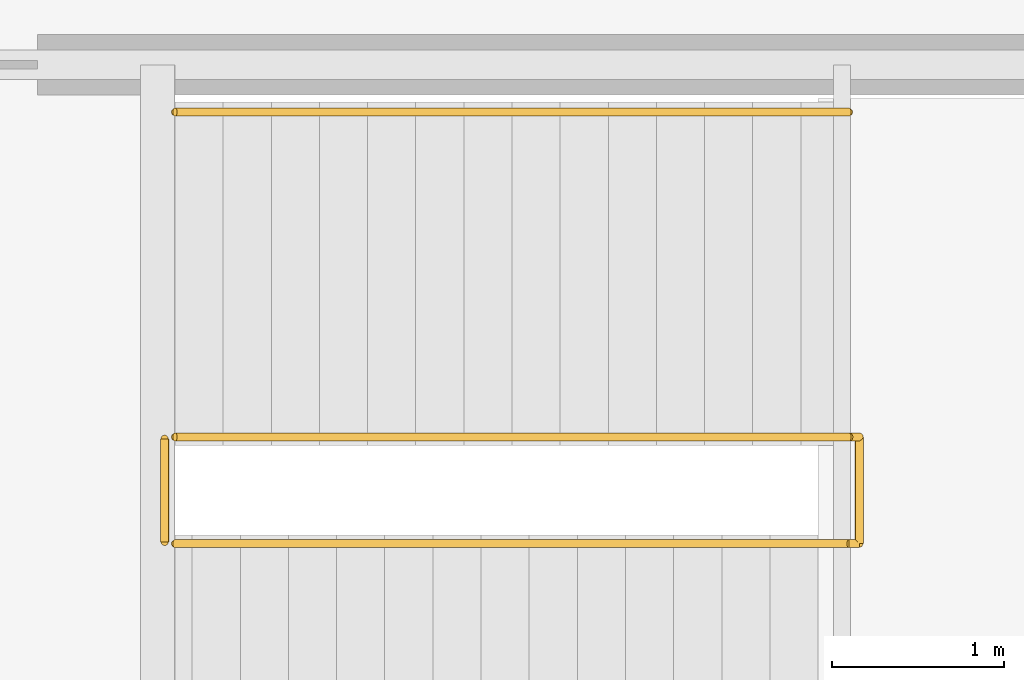
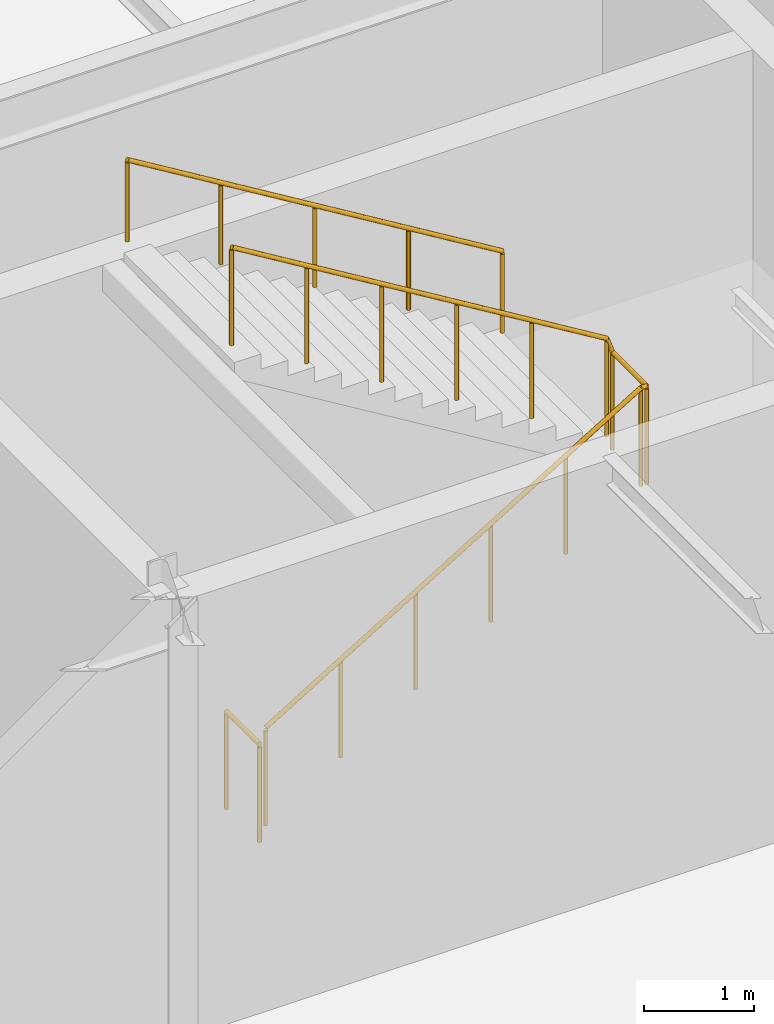
# One storey, part 76 of 79: 3 railings.
"""IFC4 building model written with IfcOpenShell, lengths in metres."""

from ifc_helpers import new_model, si_unit, direction, frame, origin, origin_2d, place, context, subcontext, project, spatial, circle, extrude, material, type_object, element, save


model = new_model("IFC4")

# Units and contexts
model_context = context("Model", 3, precision=1e-05, world=origin(), true_north=direction((0.0, 1.0)))
body_context = subcontext(model_context, "Body", "Model", "MODEL_VIEW")
ifc_project = project(units=[si_unit("LENGTHUNIT", "METRE"), si_unit("AREAUNIT", "SQUARE_METRE"), si_unit("VOLUMEUNIT", "CUBIC_METRE"), si_unit("PLANEANGLEUNIT", "RADIAN"), si_unit("MASSUNIT", "GRAM", prefix="KILO")], contexts=[model_context])

# Site, building, storey
site_placement = place(None, origin())
site = spatial("IfcSite", under=ifc_project, at=site_placement, CompositionType="ELEMENT")
building_placement = place(site_placement, origin())
building = spatial("IfcBuilding", under=site, at=building_placement, Name="Shalkamar Park Central Library", CompositionType="ELEMENT")
storey_placement = place(building_placement, frame((0.0, 0.0, 10.5)))
storey = spatial("IfcBuildingStorey", under=building, at=storey_placement, Name="L03", CompositionType="ELEMENT", Elevation=10.5)

# Railings
ifc_material = material(Name="Steel S355", Category="steel")
railing_type_1 = type_object("IfcRailingType", Name="Stair Guardrail 1100", PredefinedType="GUARDRAIL", material=ifc_material)
railing_1_placement = place(storey_placement, frame((248.22509765625, 302.965087890625, 0.169921875)))
element("IfcRailing", 1, at=railing_1_placement, inside=storey, type_object=railing_type_1, Name="Stair Inner Well Guardrail ST-P4-L03", PredefinedType="GUARDRAIL", context=body_context, shape_type="SweptSolid", body=[
    extrude(circle(Radius=0.02392578125, at=origin_2d()), frame((0.0, 0.0, 1.076171875), z_axis=(0.854770645689, 0.0, 0.519005918337), x_axis=(0.0, 1.0, 0.0)), (0.0, 0.0, 1.0), 4.5859375),
    extrude(circle(Radius=0.02392578125, at=origin_2d()), frame((3.919921875, 0.0, 3.4560546875), z_axis=(1.0, 0.0, 0.0), x_axis=(0.0, 1.0, 0.0)), (0.0, 0.0, 1.0), 0.06005859375),
    extrude(circle(Radius=0.02392578125, at=origin_2d()), frame((3.97998046875, 0.0, 3.4560546875), z_axis=(0.0, 1.0, 0.0), x_axis=(-1.0, 0.0, 0.0)), (0.0, 0.0, 1.0), 0.619873046875),
    extrude(circle(Radius=0.02392578125, at=origin_2d()), frame((3.97998046875, 0.619873046875, 3.4560546875), z_axis=(-0.333245237307, 0.0, 0.942840183601), x_axis=(0.0, -1.0, 0.0)), (0.0, 0.0, 1.0), 0.18017578125),
    extrude(circle(Radius=0.02392578125, at=origin_2d()), frame((3.919921875, 0.619873046875, 3.6259765625), z_axis=(-0.854770645689, 0.0, 0.519005918337), x_axis=(0.0, -1.0, 0.0)), (0.0, 0.0, 1.0), 4.5859375),
    extrude(circle(Radius=0.02099609375, at=origin_2d()), origin(), (0.0, 0.0, 1.0), 1.052001953125),
    extrude(circle(Radius=0.02099609375, at=origin_2d()), frame((0.783935546875, 0.0, 0.47607421875)), (0.0, 0.0, 1.0), 1.052001953125),
    extrude(circle(Radius=0.02099609375, at=origin_2d()), frame((1.56787109375, 0.0, 0.9521484375)), (0.0, 0.0, 1.0), 1.052001953125),
    extrude(circle(Radius=0.02099609375, at=origin_2d()), frame((2.35205078125, 0.0, 1.427978515625)), (0.0, 0.0, 1.0), 1.052001953125),
    extrude(circle(Radius=0.02099609375, at=origin_2d()), frame((3.135986328125, 0.0, 1.904052734375)), (0.0, 0.0, 1.0), 1.052001953125),
    extrude(circle(Radius=0.02099609375, at=origin_2d()), frame((3.919921875, 0.0, 2.380126953125)), (0.0, 0.0, 1.0), 1.052001953125),
    extrude(circle(Radius=0.02099609375, at=origin_2d()), frame((3.97998046875, 0.0, 2.380126953125)), (0.0, 0.0, 1.0), 1.052001953125),
    extrude(circle(Radius=0.02099609375, at=origin_2d()), frame((3.97998046875, 0.619873046875, 2.380126953125)), (0.0, 0.0, 1.0), 1.052001953125),
    extrude(circle(Radius=0.02099609375, at=origin_2d()), frame((3.919921875, 0.619873046875, 2.550048828125)), (0.0, 0.0, 1.0), 1.052001953125),
    extrude(circle(Radius=0.02099609375, at=origin_2d()), frame((3.135986328125, 0.619873046875, 3.026123046875)), (0.0, 0.0, 1.0), 1.052001953125),
    extrude(circle(Radius=0.02099609375, at=origin_2d()), frame((2.35205078125, 0.619873046875, 3.502197265625)), (0.0, 0.0, 1.0), 1.052001953125),
    extrude(circle(Radius=0.02099609375, at=origin_2d()), frame((1.56787109375, 0.619873046875, 3.97802734375)), (0.0, 0.0, 1.0), 1.052001953125),
    extrude(circle(Radius=0.02099609375, at=origin_2d()), frame((0.783935546875, 0.619873046875, 4.4541015625)), (0.0, 0.0, 1.0), 1.052001953125),
    extrude(circle(Radius=0.02099609375, at=origin_2d()), frame((0.0, 0.619873046875, 4.93017578125)), (0.0, 0.0, 1.0), 1.052001953125),
])
railing_2_placement = place(storey_placement, frame((248.1650390625, 302.97509765625, 0.0)))
element("IfcRailing", 2, at=railing_2_placement, inside=storey, type_object=railing_type_1, Name="Stair Arrival Well Guardrail ST-P4 (L03)", PredefinedType="GUARDRAIL", context=body_context, shape_type="SweptSolid", body=[
    extrude(circle(Radius=0.02392578125, at=origin_2d()), frame((0.0, 0.0, 1.076171875), z_axis=(0.0, 1.0, 0.0), x_axis=(-1.0, 0.0, 0.0)), (0.0, 0.0, 1.0), 0.599853515625),
    extrude(circle(Radius=0.02099609375, at=origin_2d()), origin(), (0.0, 0.0, 1.0), 1.052001953125),
    extrude(circle(Radius=0.02099609375, at=origin_2d()), frame((0.0, 0.599853515625, 0.0)), (0.0, 0.0, 1.0), 1.052001953125),
])
railing_type_2 = type_object("IfcRailingType", Name="Stair Pitched Handrail 920", PredefinedType="HANDRAIL", material=ifc_material)
railing_3_placement = place(storey_placement, frame((252.14501953125, 305.47509765625, 2.719970703125)))
element("IfcRailing", 3, at=railing_3_placement, inside=storey, type_object=railing_type_2, Name="Stair Wall Handrail ST-P4-L03 Flight 2", PredefinedType="HANDRAIL", context=body_context, shape_type="SweptSolid", body=[
    extrude(circle(Radius=0.02392578125, at=origin_2d()), frame((0.0, 0.0, 0.89599609375), z_axis=(-0.854770645689, 0.0, 0.519005918337), x_axis=(0.0, -1.0, 0.0)), (0.0, 0.0, 1.0), 4.5859375),
    extrude(circle(Radius=0.02099609375, at=origin_2d()), origin(), (0.0, 0.0, 1.0), 0.871826171875),
    extrude(circle(Radius=0.02099609375, at=origin_2d()), frame((-0.97998046875, 0.0, 0.594970703125)), (0.0, 0.0, 1.0), 0.871826171875),
    extrude(circle(Radius=0.02099609375, at=origin_2d()), frame((-1.9599609375, 0.0, 1.18994140625)), (0.0, 0.0, 1.0), 0.871826171875),
    extrude(circle(Radius=0.02099609375, at=origin_2d()), frame((-2.93994140625, 0.0, 1.78515625)), (0.0, 0.0, 1.0), 0.871826171875),
    extrude(circle(Radius=0.02099609375, at=origin_2d()), frame((-3.919921875, 0.0, 2.380126953125)), (0.0, 0.0, 1.0), 0.871826171875),
])

save(model, "model.ifc")
